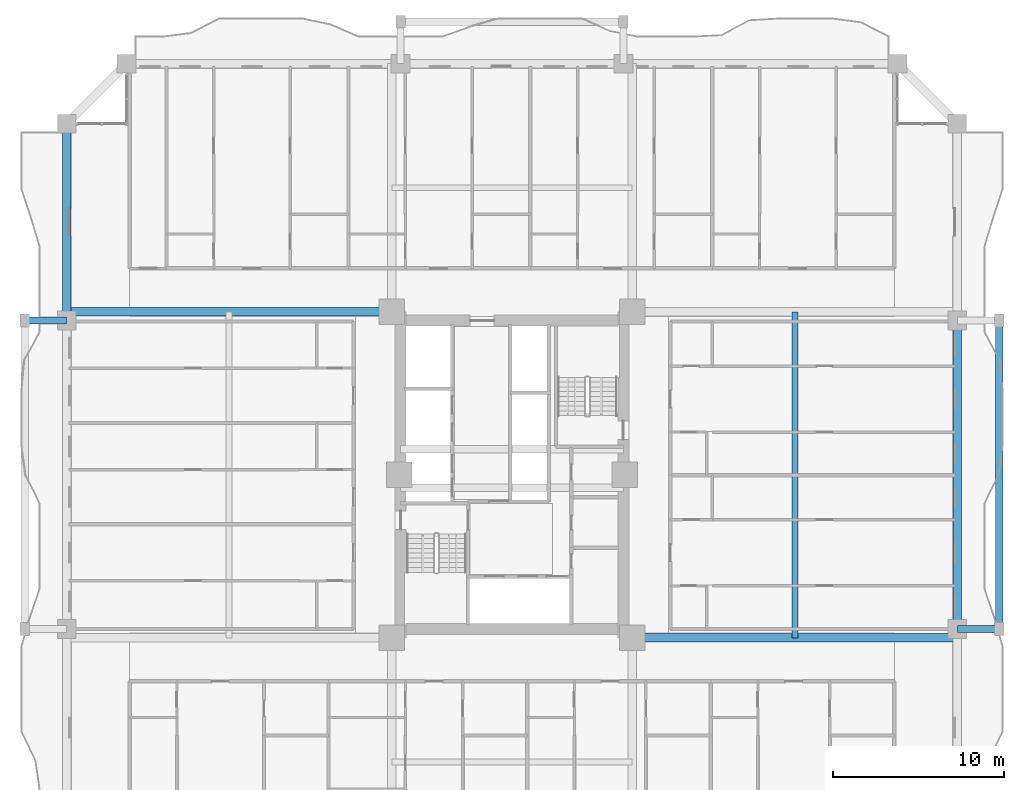
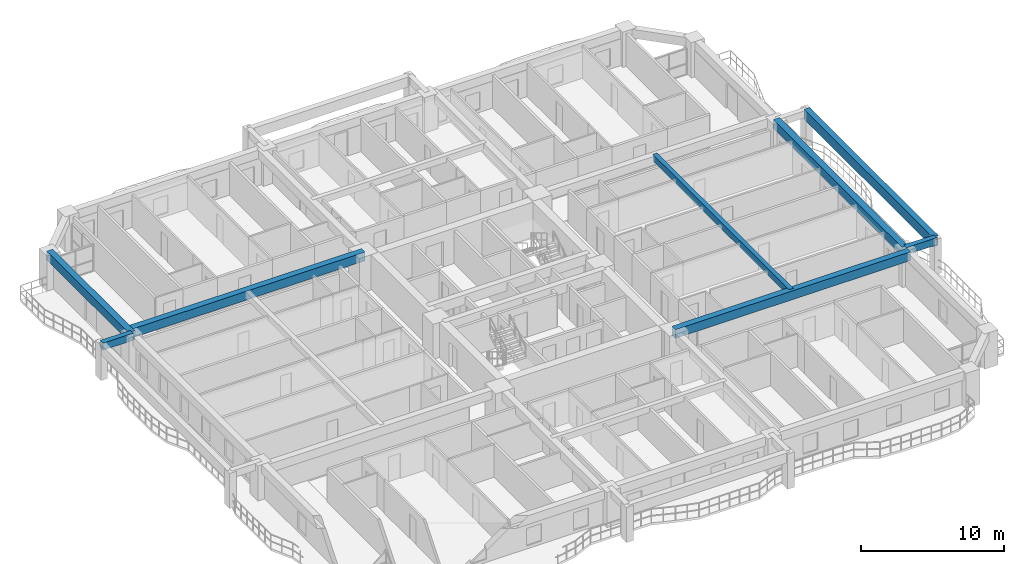
# One storey, part 5 of 27: 8 beams.
"""IFC4 building model written with IfcOpenShell, lengths in metres."""

from ifc_helpers import new_model, si_unit, direction, frame, origin, origin_2d, place, context, subcontext, project, spatial, rectangle, extrude, source, transform, mapped, material, material_profile, profile_set, type_object, element, save


model = new_model("IFC4")

# Units and contexts
model_context = context("Model", 3, precision=1e-05, world=origin(), true_north=direction((0.0, 1.0)))
body_context = subcontext(model_context, "Body", "Model", "MODEL_VIEW")
ifc_project = project(units=[si_unit("LENGTHUNIT", "METRE"), si_unit("AREAUNIT", "SQUARE_METRE"), si_unit("VOLUMEUNIT", "CUBIC_METRE"), si_unit("PLANEANGLEUNIT", "RADIAN"), si_unit("MASSUNIT", "GRAM", prefix="KILO")], contexts=[model_context])

# Site, building, storey
site_placement = place(None, origin())
site = spatial("IfcSite", under=ifc_project, at=site_placement, CompositionType="ELEMENT")
building_placement = place(site_placement, origin())
building = spatial("IfcBuilding", under=site, at=building_placement, Name="Saelheon Loggia Tower", CompositionType="ELEMENT")
storey_placement = place(building_placement, frame((0.0, 0.0, 34.39990234375)))
storey = spatial("IfcBuildingStorey", under=building, at=storey_placement, Name="L10", CompositionType="ELEMENT", Elevation=34.39990234375)

# Beams
ifc_material_1 = material(Name="Concrete C45/55", Category="concrete")
ifc_material_profile_1 = material_profile(ifc_material_1, rectangle(XDim=0.5, YDim=0.75, at=origin_2d()), Name="RC-500x750")
ifc_profile_set_1 = profile_set([ifc_material_profile_1], Name="Concrete C45/55")
beam_type_1 = type_object("IfcBeamType", Name="Beam_PerimGirder_RC500x750", PredefinedType="BEAM", material=ifc_profile_set_1)
shared_shape_1 = source(origin(), body_context, "Body", "SweptSolid", [
    extrude(rectangle(XDim=0.5, YDim=0.75, at=origin_2d()), origin(), (0.0, 0.0, 1.0), 11.5),
])
beam_1_placement = place(storey_placement, frame((12.0, 47.5, 2.625), z_axis=(0.0, -1.0, 0.0), x_axis=(1.0, 0.0, 0.0)))
element("IfcBeam", 1, at=beam_1_placement, inside=storey, type_object=beam_type_1, Name="L10 Perimeter Frame Girder 13", PredefinedType="BEAM", context=body_context, shape_type="MappedRepresentation", body=[
    mapped(shared_shape_1, transform((0.0, 0.0, 0.0), scale=1.0)),
])
shared_shape_2 = source(origin(), body_context, "Body", "SweptSolid", [
    extrude(rectangle(XDim=0.5, YDim=0.75, at=origin_2d()), origin(), (0.0, 0.0, 1.0), 18.0),
])
beam_2_placement = place(storey_placement, frame((64.0, 18.0, 2.625), z_axis=(0.0, 1.0, 0.0), x_axis=(-1.0, 0.0, 0.0)))
element("IfcBeam", 2, at=beam_2_placement, inside=storey, type_object=beam_type_1, Name="L10 Perimeter Frame Girder 06", PredefinedType="BEAM", context=body_context, shape_type="MappedRepresentation", body=[
    mapped(shared_shape_2, transform((0.0, 0.0, 0.0), scale=1.0)),
])
ifc_material_profile_2 = material_profile(ifc_material_1, rectangle(XDim=0.5, YDim=0.75, at=origin_2d()), Name="RC-500x750")
ifc_profile_set_2 = profile_set([ifc_material_profile_2], Name="Concrete C45/55")
beam_type_2 = type_object("IfcBeamType", Name="Beam_FloorGirder_RC500x750", PredefinedType="BEAM", material=ifc_profile_set_2)
shared_shape_3 = source(origin(), body_context, "Body", "SweptSolid", [
    extrude(rectangle(XDim=0.5, YDim=0.75, at=origin_2d()), origin(), (0.0, 0.0, 1.0), 18.97998046875),
])
for number, where, z_axis, x_axis, name in (
    (3, (30.97998046875, 36.52001953125, 2.625), (-1.0, 0.0, 0.0), (0.0, -1.0, 0.0), "L10 Radial Floor Girder RAD-NW-W"),
    (4, (45.02001953125, 17.47998046875, 2.625), (1.0, 0.0, 0.0), (0.0, 1.0, 0.0), "L10 Radial Floor Girder RAD-SE-E"),
):
    element("IfcBeam", number, at=place(storey_placement, frame(where, z_axis=z_axis, x_axis=x_axis)), inside=storey, type_object=beam_type_2, Name=name, PredefinedType="BEAM", context=body_context, shape_type="MappedRepresentation", body=[
        mapped(shared_shape_3, transform((0.0, 0.0, 0.0), scale=1.0)),
    ])
ifc_material_2 = material(Name="Concrete C40/50", Category="concrete")
ifc_material_profile_3 = material_profile(ifc_material_2, rectangle(XDim=0.35009765625, YDim=0.550048828125, at=origin_2d()), Name="RC-350x550")
ifc_profile_set_3 = profile_set([ifc_material_profile_3], Name="Concrete C40/50")
beam_type_3 = type_object("IfcBeamType", Name="Beam_Joist_RC350x550", PredefinedType="JOIST", material=ifc_profile_set_3)
shared_shape_4 = source(origin(), body_context, "Body", "SweptSolid", [
    extrude(rectangle(XDim=0.35009765625, YDim=0.550048828125, at=origin_2d()), origin(), (0.0, 0.0, 1.0), 19.0400390625),
])
beam_3_placement = place(storey_placement, frame((54.510009765625, 17.47998046875, 2.72509765625), z_axis=(0.0, 1.0, 0.0), x_axis=(-1.0, 0.0, 0.0)))
element("IfcBeam", 5, at=beam_3_placement, inside=storey, type_object=beam_type_3, Name="L10 East Floor Joist", PredefinedType="JOIST", context=body_context, shape_type="MappedRepresentation", body=[
    mapped(shared_shape_4, transform((0.0, 0.0, 0.0), scale=1.0)),
])
ifc_material_3 = material(Name="Precast Concrete C45/55", Category="concrete")
ifc_material_profile_4 = material_profile(ifc_material_3, rectangle(XDim=0.39990234375, YDim=0.60009765625, at=origin_2d()), Name="RC-400x600")
ifc_profile_set_4 = profile_set([ifc_material_profile_4], Name="Precast Concrete C45/55")
beam_type_4 = type_object("IfcBeamType", Name="Beam_LoggiaTie_RC400x600", PredefinedType="BEAM", material=ifc_profile_set_4)
shared_shape_5 = source(origin(), body_context, "Body", "SweptSolid", [
    extrude(rectangle(XDim=0.39990234375, YDim=0.60009765625, at=origin_2d()), origin(), (0.0, 0.0, 1.0), 2.449951171875),
])
for number, where, z_axis, x_axis, name in (
    (6, (64.0, 18.0, 2.7001953125), (1.0, 0.0, 0.0), (0.0, 1.0, 0.0), "L10 Loggia Frame Tie Beam LP-E1"),
    (7, (12.0, 36.0, 2.7001953125), (-1.0, 0.0, 0.0), (0.0, -1.0, 0.0), "L10 Loggia Frame Tie Beam LP-W2"),
):
    element("IfcBeam", number, at=place(storey_placement, frame(where, z_axis=z_axis, x_axis=x_axis)), inside=storey, type_object=beam_type_4, Name=name, PredefinedType="BEAM", context=body_context, shape_type="MappedRepresentation", body=[
        mapped(shared_shape_5, transform((0.0, 0.0, 0.0), scale=1.0)),
    ])
ifc_material_profile_5 = material_profile(ifc_material_3, rectangle(XDim=0.449951171875, YDim=0.85009765625, at=origin_2d()), Name="RC-450x850")
ifc_profile_set_5 = profile_set([ifc_material_profile_5], Name="Precast Concrete C45/55")
beam_type_5 = type_object("IfcBeamType", Name="Beam_LoggiaSpandrel_RC450x850", PredefinedType="SPANDREL", material=ifc_profile_set_5)
shared_shape_6 = source(origin(), body_context, "Body", "SweptSolid", [
    extrude(rectangle(XDim=0.449951171875, YDim=0.85009765625, at=origin_2d()), origin(), (0.0, 0.0, 1.0), 18.0),
])
beam_4_placement = place(storey_placement, frame((66.449951171875, 18.0, 2.5751953125), z_axis=(0.0, 1.0, 0.0), x_axis=(-1.0, 0.0, 0.0)))
element("IfcBeam", 8, at=beam_4_placement, inside=storey, type_object=beam_type_5, Name="L10 Loggia Spandrel Beam E", PredefinedType="SPANDREL", context=body_context, shape_type="MappedRepresentation", body=[
    mapped(shared_shape_6, transform((0.0, 0.0, 0.0), scale=1.0)),
])

save(model, "model.ifc")
